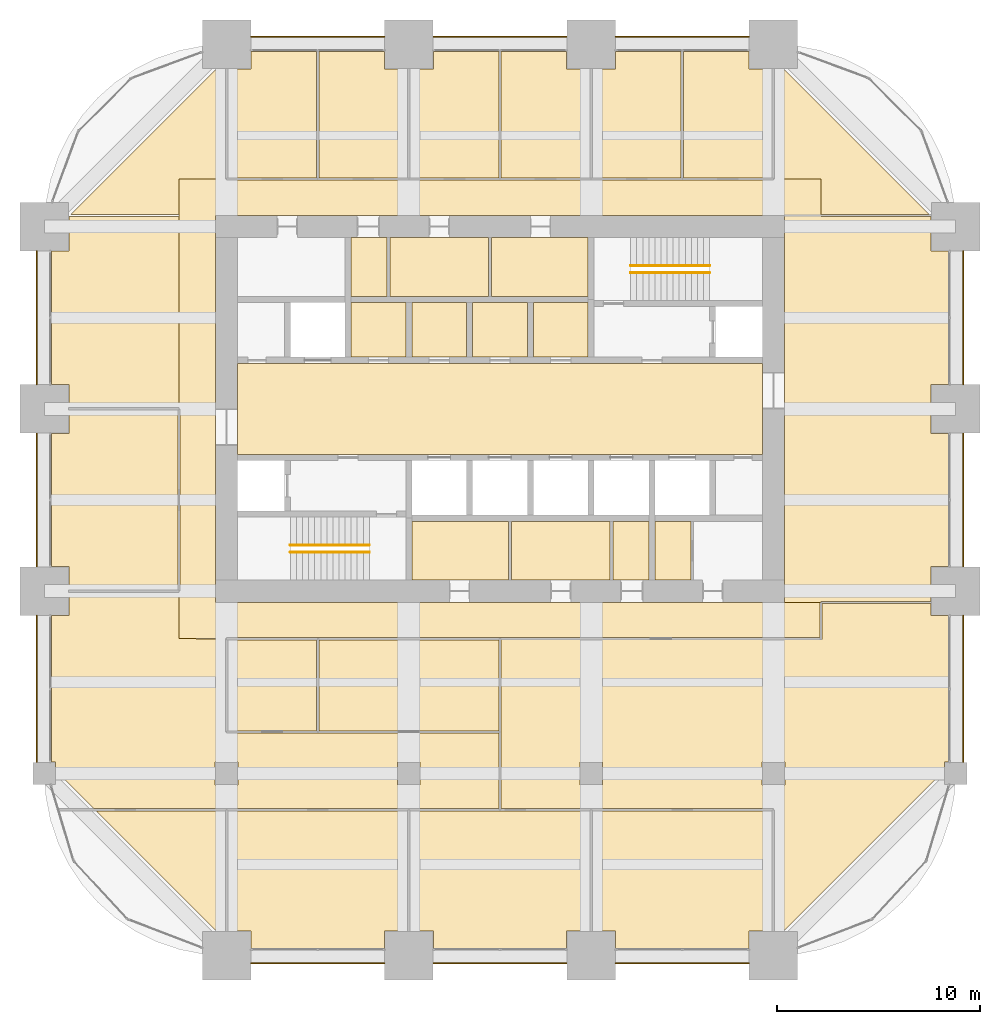
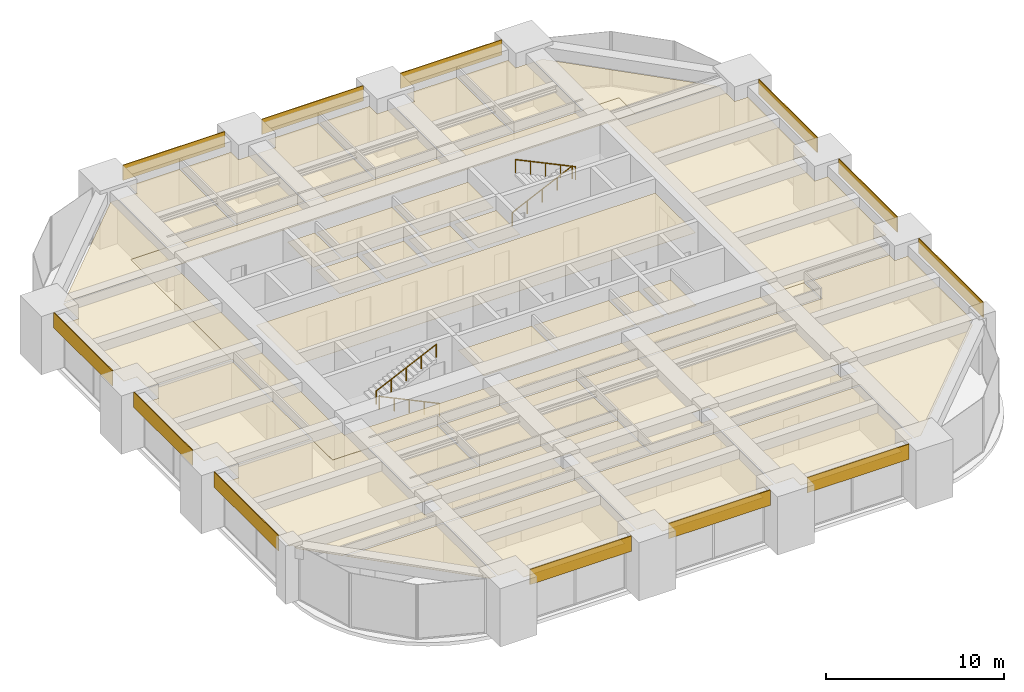
# One storey, part 45 of 45: 44 coverings, 4 railings.
"""IFC4 building model written with IfcOpenShell, lengths in metres."""

from ifc_helpers import new_model, si_unit, direction, frame, frame_2d, origin, origin_2d, place, context, subcontext, project, spatial, polyline, rectangle, circle, outline, extrude, material, layer, layer_set, type_object, element, save


model = new_model("IFC4")

# Units and contexts
model_context = context("Model", 3, precision=1e-05, world=origin(), true_north=direction((0.0, 1.0)))
body_context = subcontext(model_context, "Body", "Model", "MODEL_VIEW")
ifc_project = project(units=[si_unit("LENGTHUNIT", "METRE"), si_unit("AREAUNIT", "SQUARE_METRE"), si_unit("VOLUMEUNIT", "CUBIC_METRE"), si_unit("PLANEANGLEUNIT", "RADIAN"), si_unit("MASSUNIT", "GRAM", prefix="KILO")], contexts=[model_context])

# Site, building, storey
site_placement = place(None, origin())
site = spatial("IfcSite", under=ifc_project, at=site_placement, CompositionType="ELEMENT")
building_placement = place(site_placement, origin())
building = spatial("IfcBuilding", under=site, at=building_placement, Name="Zorevar Civic Tower", CompositionType="ELEMENT")
storey_placement = place(building_placement, frame((0.0, 0.0, 247.39990234375)))
storey = spatial("IfcBuildingStorey", under=building, at=storey_placement, Name="L60", CompositionType="ELEMENT", Elevation=247.39990234375)

# Railings
ifc_material_1 = material(Name="Black steel handrail", Category="steel")
railing_type = type_object("IfcRailingType", Name="Handrail HR1 900", PredefinedType="HANDRAIL", material=ifc_material_1)
railing_1_placement = place(storey_placement, frame((25.050048828125, 19.925048828125, 0.14306640625)))
element("IfcRailing", 1, at=railing_1_placement, inside=storey, type_object=railing_type, Name="Handrail HR1 ST1 L60", PredefinedType="HANDRAIL", context=body_context, shape_type="SweptSolid", body=[
    extrude(circle(Radius=0.02392578125, at=origin_2d()), frame((0.0, 0.0, 0.8759765625), z_axis=(-0.902885590262, 0.0, 0.429880926418), x_axis=(0.0, -1.0, 0.0)), (0.0, 0.0, 1.0), 4.319580078125),
    extrude(circle(Radius=0.02099609375, at=origin_2d()), origin(), (0.0, 0.0, 1.0), 0.851806640625),
    extrude(circle(Radius=0.02099609375, at=origin_2d()), frame((-0.97509765625, 0.0, 0.46435546875)), (0.0, 0.0, 1.0), 0.851806640625),
    extrude(circle(Radius=0.02099609375, at=origin_2d()), frame((-1.9501953125, 0.0, 0.928466796875)), (0.0, 0.0, 1.0), 0.851806640625),
    extrude(circle(Radius=0.02099609375, at=origin_2d()), frame((-2.925048828125, 0.0, 1.392578125)), (0.0, 0.0, 1.0), 0.851806640625),
    extrude(circle(Radius=0.02099609375, at=origin_2d()), frame((-3.900146484375, 0.0, 1.85693359375)), (0.0, 0.0, 1.0), 0.851806640625),
])
for number, where, name in (
    (2, (21.14990234375, 20.27490234375, 2.14306640625), "Handrail HR1 ST1 L60"),
    (3, (37.949951171875, 34.074951171875, 0.14306640625), "Handrail HR1 ST2 L60"),
):
    element("IfcRailing", number, at=place(storey_placement, frame(where)), inside=storey, type_object=railing_type, Name=name, PredefinedType="HANDRAIL", context=body_context, shape_type="SweptSolid", body=[
        extrude(circle(Radius=0.02392578125, at=origin_2d()), frame((0.0, 0.0, 0.8759765625), z_axis=(0.902885590262, 0.0, 0.429880926418), x_axis=(0.0, 1.0, 0.0)), (0.0, 0.0, 1.0), 4.319580078125),
        extrude(circle(Radius=0.02099609375, at=origin_2d()), origin(), (0.0, 0.0, 1.0), 0.851806640625),
        extrude(circle(Radius=0.02099609375, at=origin_2d()), frame((0.97509765625, 0.0, 0.46435546875)), (0.0, 0.0, 1.0), 0.851806640625),
        extrude(circle(Radius=0.02099609375, at=origin_2d()), frame((1.9501953125, 0.0, 0.928466796875)), (0.0, 0.0, 1.0), 0.851806640625),
        extrude(circle(Radius=0.02099609375, at=origin_2d()), frame((2.925048828125, 0.0, 1.392578125)), (0.0, 0.0, 1.0), 0.851806640625),
        extrude(circle(Radius=0.02099609375, at=origin_2d()), frame((3.900146484375, 0.0, 1.85693359375)), (0.0, 0.0, 1.0), 0.851806640625),
    ])
railing_2_placement = place(storey_placement, frame((41.85009765625, 33.72509765625, 2.14306640625)))
element("IfcRailing", 4, at=railing_2_placement, inside=storey, type_object=railing_type, Name="Handrail HR1 ST2 L60", PredefinedType="HANDRAIL", context=body_context, shape_type="SweptSolid", body=[
    extrude(circle(Radius=0.02392578125, at=origin_2d()), frame((0.0, 0.0, 0.8759765625), z_axis=(-0.902885590262, 0.0, 0.429880926418), x_axis=(0.0, -1.0, 0.0)), (0.0, 0.0, 1.0), 4.319580078125),
    extrude(circle(Radius=0.02099609375, at=origin_2d()), origin(), (0.0, 0.0, 1.0), 0.851806640625),
    extrude(circle(Radius=0.02099609375, at=origin_2d()), frame((-0.97509765625, 0.0, 0.46435546875)), (0.0, 0.0, 1.0), 0.851806640625),
    extrude(circle(Radius=0.02099609375, at=origin_2d()), frame((-1.9501953125, 0.0, 0.928466796875)), (0.0, 0.0, 1.0), 0.851806640625),
    extrude(circle(Radius=0.02099609375, at=origin_2d()), frame((-2.925048828125, 0.0, 1.392578125)), (0.0, 0.0, 1.0), 0.851806640625),
    extrude(circle(Radius=0.02099609375, at=origin_2d()), frame((-3.900146484375, 0.0, 1.85693359375)), (0.0, 0.0, 1.0), 0.851806640625),
])

# Coverings
ifc_material_2 = material(Name="Moisture-resistant gypsum board")
ifc_layer_1 = layer(ifc_material_2, 0.012451171875)
ifc_layer_set_1 = layer_set([ifc_layer_1], Name="Moisture-resistant ceiling SC3")
covering_type_1 = type_object("IfcCoveringType", Name="Moisture-resistant ceiling SC3", PredefinedType="CEILING", material=ifc_layer_set_1)
covering_1_placement = place(storey_placement, frame((0.0, 0.0, 3.0)))
element("IfcCovering", 5, at=covering_1_placement, inside=storey, type_object=covering_type_1, Name="Ceiling L60-05", PredefinedType="CEILING", context=body_context, shape_type="SweptSolid", body=[
    extrude(outline(polyline([(31.925048828125, 18.550048828125), (31.925048828125, 21.449951171875), (27.14990234375, 21.449951171875), (27.14990234375, 18.550048828125), (31.925048828125, 18.550048828125)])), origin(), (0.0, 0.0, 1.0), 0.0126953125),
])
covering_2_placement = place(storey_placement, frame((0.0, 0.0, 3.0)))
element("IfcCovering", 6, at=covering_2_placement, inside=storey, type_object=covering_type_1, Name="Ceiling L60-06", PredefinedType="CEILING", context=body_context, shape_type="SweptSolid", body=[
    extrude(outline(polyline([(36.925048828125, 18.550048828125), (36.925048828125, 21.449951171875), (32.074951171875, 21.449951171875), (32.074951171875, 18.550048828125), (36.925048828125, 18.550048828125)])), origin(), (0.0, 0.0, 1.0), 0.0126953125),
])
covering_3_placement = place(storey_placement, frame((0.0, 0.0, 3.0)))
element("IfcCovering", 7, at=covering_3_placement, inside=storey, type_object=covering_type_1, Name="Ceiling L60-07", PredefinedType="CEILING", context=body_context, shape_type="SweptSolid", body=[
    extrude(outline(polyline([(38.85009765625, 18.550048828125), (38.85009765625, 21.449951171875), (37.074951171875, 21.449951171875), (37.074951171875, 18.550048828125), (38.85009765625, 18.550048828125)])), origin(), (0.0, 0.0, 1.0), 0.0126953125),
])
covering_4_placement = place(storey_placement, frame((0.0, 0.0, 3.0)))
element("IfcCovering", 8, at=covering_4_placement, inside=storey, type_object=covering_type_1, Name="Ceiling L60-08", PredefinedType="CEILING", context=body_context, shape_type="SweptSolid", body=[
    extrude(outline(polyline([(35.85009765625, 32.550048828125), (35.85009765625, 35.449951171875), (31.074951171875, 35.449951171875), (31.074951171875, 32.550048828125), (35.85009765625, 32.550048828125)])), origin(), (0.0, 0.0, 1.0), 0.0126953125),
])
covering_5_placement = place(storey_placement, frame((0.0, 0.0, 3.0)))
element("IfcCovering", 9, at=covering_5_placement, inside=storey, type_object=covering_type_1, Name="Ceiling L60-09", PredefinedType="CEILING", context=body_context, shape_type="SweptSolid", body=[
    extrude(outline(polyline([(30.925048828125, 32.550048828125), (30.925048828125, 35.449951171875), (26.074951171875, 35.449951171875), (26.074951171875, 32.550048828125), (30.925048828125, 32.550048828125)])), origin(), (0.0, 0.0, 1.0), 0.0126953125),
])
covering_6_placement = place(storey_placement, frame((0.0, 0.0, 3.0)))
element("IfcCovering", 10, at=covering_6_placement, inside=storey, type_object=covering_type_1, Name="Ceiling L60-10", PredefinedType="CEILING", context=body_context, shape_type="SweptSolid", body=[
    extrude(outline(polyline([(25.925048828125, 32.550048828125), (25.925048828125, 35.449951171875), (24.14990234375, 35.449951171875), (24.14990234375, 32.550048828125), (25.925048828125, 32.550048828125)])), origin(), (0.0, 0.0, 1.0), 0.0126953125),
])
ifc_material_3 = material(Name="Black anodised aluminium spandrel panel", Category="aluminium")
ifc_layer_2 = layer(ifc_material_3, 0.050048828125)
ifc_layer_set_2 = layer_set([ifc_layer_2], Name="Spandrel cladding SP1")
covering_type_2 = type_object("IfcCoveringType", Name="Spandrel cladding SP1", PredefinedType="CLADDING", material=ifc_layer_set_2)
for number, where, z_axis, x_axis, name in (
    (11, (19.199951171875, -0.375, 2.9501953125), (0.0, 0.0, 1.0), (1.0, 0.0, 0.0), "Spandrel cladding L61"),
    (12, (28.199951171875, -0.375, 2.9501953125), (0.0, 0.0, 1.0), (1.0, 0.0, 0.0), "Spandrel cladding L61"),
    (13, (37.199951171875, -0.375, 2.9501953125), (0.0, 0.0, 1.0), (1.0, 0.0, 0.0), "Spandrel cladding L61"),
    (14, (19.199951171875, 45.375, 2.9501953125), (0.0, 0.0, 1.0), (1.0, 0.0, 0.0), "Spandrel cladding L61"),
    (15, (28.199951171875, 45.375, 2.9501953125), (0.0, 0.0, 1.0), (1.0, 0.0, 0.0), "Spandrel cladding L61"),
    (16, (37.199951171875, 45.375, 2.9501953125), (0.0, 0.0, 1.0), (1.0, 0.0, 0.0), "Spandrel cladding L61"),
):
    element("IfcCovering", number, at=place(storey_placement, frame(where, z_axis=z_axis, x_axis=x_axis)), inside=storey, type_object=covering_type_2, Name=name, PredefinedType="CLADDING", context=body_context, shape_type="SweptSolid", body=[
        extrude(rectangle(XDim=6.60009765625, YDim=0.050048828125, at=frame_2d((3.300048828125, 0.0))), origin(), (0.0, 0.0, 1.0), 1.0498046875),
    ])
covering_7_placement = place(storey_placement, frame((8.625, 9.550048828125, 2.9501953125), z_axis=(0.0, 0.0, 1.0), x_axis=(0.0, 1.0, 0.0)))
element("IfcCovering", 17, at=covering_7_placement, inside=storey, type_object=covering_type_2, Name="Spandrel cladding L61", PredefinedType="CLADDING", context=body_context, shape_type="SweptSolid", body=[
    extrude(rectangle(XDim=7.25, YDim=0.050048828125, at=frame_2d((3.625, 0.0))), origin(), (0.0, 0.0, 1.0), 1.0498046875),
])
for number, where, z_axis, x_axis, name in (
    (18, (8.625, 19.199951171875, 2.9501953125), (0.0, 0.0, 1.0), (0.0, 1.0, 0.0), "Spandrel cladding L61"),
    (19, (8.625, 28.199951171875, 2.9501953125), (0.0, 0.0, 1.0), (0.0, 1.0, 0.0), "Spandrel cladding L61"),
):
    element("IfcCovering", number, at=place(storey_placement, frame(where, z_axis=z_axis, x_axis=x_axis)), inside=storey, type_object=covering_type_2, Name=name, PredefinedType="CLADDING", context=body_context, shape_type="SweptSolid", body=[
        extrude(rectangle(XDim=6.60009765625, YDim=0.050048828125, at=frame_2d((3.300048828125, 0.0))), origin(), (0.0, 0.0, 1.0), 1.0498046875),
    ])
covering_8_placement = place(storey_placement, frame((54.375, 9.550048828125, 2.9501953125), z_axis=(0.0, 0.0, 1.0), x_axis=(0.0, 1.0, 0.0)))
element("IfcCovering", 20, at=covering_8_placement, inside=storey, type_object=covering_type_2, Name="Spandrel cladding L61", PredefinedType="CLADDING", context=body_context, shape_type="SweptSolid", body=[
    extrude(rectangle(XDim=7.25, YDim=0.050048828125, at=frame_2d((3.625, 0.0))), origin(), (0.0, 0.0, 1.0), 1.0498046875),
])
for number, where, z_axis, x_axis, name in (
    (21, (54.375, 19.199951171875, 2.9501953125), (0.0, 0.0, 1.0), (0.0, 1.0, 0.0), "Spandrel cladding L61"),
    (22, (54.375, 28.199951171875, 2.9501953125), (0.0, 0.0, 1.0), (0.0, 1.0, 0.0), "Spandrel cladding L61"),
):
    element("IfcCovering", number, at=place(storey_placement, frame(where, z_axis=z_axis, x_axis=x_axis)), inside=storey, type_object=covering_type_2, Name=name, PredefinedType="CLADDING", context=body_context, shape_type="SweptSolid", body=[
        extrude(rectangle(XDim=6.60009765625, YDim=0.050048828125, at=frame_2d((3.300048828125, 0.0))), origin(), (0.0, 0.0, 1.0), 1.0498046875),
    ])
ifc_material_4 = material(Name="Mineral fibre tiles on a concealed grid")
ifc_layer_3 = layer(ifc_material_4, 0.02001953125)
ifc_layer_set_3 = layer_set([ifc_layer_3], Name="Suspended ceiling SC1")
covering_type_3 = type_object("IfcCoveringType", Name="Suspended ceiling SC1", PredefinedType="CEILING", material=ifc_layer_set_3)
covering_9_placement = place(storey_placement, frame((0.0, 0.0, 3.0)))
element("IfcCovering", 23, at=covering_9_placement, inside=storey, type_object=covering_type_3, Name="Ceiling L60-11", PredefinedType="CEILING", context=body_context, shape_type="SweptSolid", body=[
    extrude(outline(polyline([(40.93994140625, 18.550048828125), (40.93994140625, 21.449951171875), (39.14990234375, 21.449951171875), (39.14990234375, 18.550048828125), (40.93994140625, 18.550048828125)])), origin(), (0.0, 0.0, 1.0), 0.02001953125),
])
covering_10_placement = place(storey_placement, frame((0.0, 0.0, 3.0)))
element("IfcCovering", 24, at=covering_10_placement, inside=storey, type_object=covering_type_3, Name="Ceiling L60-16", PredefinedType="CEILING", context=body_context, shape_type="SweptSolid", body=[
    extrude(outline(polyline([(44.449951171875, 24.75), (44.449951171875, 29.25), (18.550048828125, 29.25), (18.550048828125, 24.75), (44.449951171875, 24.75)])), origin(), (0.0, 0.0, 1.0), 0.02001953125),
])
covering_11_placement = place(storey_placement, frame((0.0, 0.0, 3.0)))
element("IfcCovering", 25, at=covering_11_placement, inside=storey, type_object=covering_type_3, Name="Ceiling L60-17", PredefinedType="CEILING", context=body_context, shape_type="SweptSolid", body=[
    extrude(outline(polyline([(35.85009765625, 29.550048828125), (35.85009765625, 32.25), (33.14990234375, 32.25), (33.14990234375, 29.550048828125), (35.85009765625, 29.550048828125)])), origin(), (0.0, 0.0, 1.0), 0.02001953125),
])
covering_12_placement = place(storey_placement, frame((0.0, 0.0, 3.0)))
element("IfcCovering", 26, at=covering_12_placement, inside=storey, type_object=covering_type_3, Name="Ceiling L60-18", PredefinedType="CEILING", context=body_context, shape_type="SweptSolid", body=[
    extrude(outline(polyline([(32.85009765625, 29.550048828125), (32.85009765625, 32.25), (30.14990234375, 32.25), (30.14990234375, 29.550048828125), (32.85009765625, 29.550048828125)])), origin(), (0.0, 0.0, 1.0), 0.02001953125),
])
covering_13_placement = place(storey_placement, frame((0.0, 0.0, 3.0)))
element("IfcCovering", 27, at=covering_13_placement, inside=storey, type_object=covering_type_3, Name="Ceiling L60-19", PredefinedType="CEILING", context=body_context, shape_type="SweptSolid", body=[
    extrude(outline(polyline([(29.85009765625, 29.550048828125), (29.85009765625, 32.25), (27.14990234375, 32.25), (27.14990234375, 29.550048828125), (29.85009765625, 29.550048828125)])), origin(), (0.0, 0.0, 1.0), 0.02001953125),
])
covering_14_placement = place(storey_placement, frame((0.0, 0.0, 3.0)))
element("IfcCovering", 28, at=covering_14_placement, inside=storey, type_object=covering_type_3, Name="Ceiling L60-20", PredefinedType="CEILING", context=body_context, shape_type="SweptSolid", body=[
    extrude(outline(polyline([(26.85009765625, 29.550048828125), (26.85009765625, 32.25), (24.14990234375, 32.25), (24.14990234375, 29.550048828125), (26.85009765625, 29.550048828125)])), origin(), (0.0, 0.0, 1.0), 0.02001953125),
])
covering_15_placement = place(storey_placement, frame((0.0, 0.0, 3.0)))
element("IfcCovering", 29, at=covering_15_placement, inside=storey, type_object=covering_type_3, Name="Ceiling L60-21", PredefinedType="CEILING", context=body_context, shape_type="SweptSolid", body=[
    extrude(outline(polyline([(19.2099609375, 0.35009765625), (19.2099609375, 1.2099609375), (18.06005859375, 1.2099609375), (18.06005859375, 7.139892578125), (26.93994140625, 7.139892578125), (26.93994140625, 1.2099609375), (25.7900390625, 1.2099609375), (25.7900390625, 0.35009765625), (19.2099609375, 0.35009765625)])), origin(), (0.0, 0.0, 1.0), 0.02001953125),
])
covering_16_placement = place(storey_placement, frame((0.0, 0.0, 3.0)))
element("IfcCovering", 30, at=covering_16_placement, inside=storey, type_object=covering_type_3, Name="Ceiling L60-22", PredefinedType="CEILING", context=body_context, shape_type="SweptSolid", body=[
    extrude(outline(polyline([(28.2099609375, 0.35009765625), (28.2099609375, 1.2099609375), (27.06005859375, 1.2099609375), (27.06005859375, 7.139892578125), (35.93994140625, 7.139892578125), (35.93994140625, 1.2099609375), (34.7900390625, 1.2099609375), (34.7900390625, 0.35009765625), (28.2099609375, 0.35009765625)])), origin(), (0.0, 0.0, 1.0), 0.02001953125),
])
covering_17_placement = place(storey_placement, frame((0.0, 0.0, 3.0)))
element("IfcCovering", 31, at=covering_17_placement, inside=storey, type_object=covering_type_3, Name="Ceiling L60-23", PredefinedType="CEILING", context=body_context, shape_type="SweptSolid", body=[
    extrude(outline(polyline([(37.2099609375, 0.35009765625), (37.2099609375, 1.2099609375), (36.06005859375, 1.2099609375), (36.06005859375, 7.139892578125), (44.93994140625, 7.139892578125), (44.93994140625, 1.2099609375), (43.7900390625, 1.2099609375), (43.7900390625, 0.35009765625), (37.2099609375, 0.35009765625)])), origin(), (0.0, 0.0, 1.0), 0.02001953125),
])
covering_18_placement = place(storey_placement, frame((0.0, 0.0, 3.0)))
element("IfcCovering", 32, at=covering_18_placement, inside=storey, type_object=covering_type_3, Name="Ceiling L60-24", PredefinedType="CEILING", context=body_context, shape_type="SweptSolid", body=[
    extrude(outline(polyline([(18.06005859375, 38.409912109375), (18.06005859375, 43.7900390625), (19.2099609375, 43.7900390625), (19.2099609375, 44.64990234375), (22.43994140625, 44.64990234375), (22.43994140625, 38.409912109375), (18.06005859375, 38.409912109375)])), origin(), (0.0, 0.0, 1.0), 0.02001953125),
])
covering_19_placement = place(storey_placement, frame((0.0, 0.0, 3.0)))
element("IfcCovering", 33, at=covering_19_placement, inside=storey, type_object=covering_type_3, Name="Ceiling L60-25", PredefinedType="CEILING", context=body_context, shape_type="SweptSolid", body=[
    extrude(outline(polyline([(22.56005859375, 38.409912109375), (22.56005859375, 44.64990234375), (25.7900390625, 44.64990234375), (25.7900390625, 43.7900390625), (26.93994140625, 43.7900390625), (26.93994140625, 38.409912109375), (22.56005859375, 38.409912109375)])), origin(), (0.0, 0.0, 1.0), 0.02001953125),
])
covering_20_placement = place(storey_placement, frame((0.0, 0.0, 3.0)))
element("IfcCovering", 34, at=covering_20_placement, inside=storey, type_object=covering_type_3, Name="Ceiling L60-26", PredefinedType="CEILING", context=body_context, shape_type="SweptSolid", body=[
    extrude(outline(polyline([(27.06005859375, 38.409912109375), (27.06005859375, 43.7900390625), (28.2099609375, 43.7900390625), (28.2099609375, 44.64990234375), (31.43994140625, 44.64990234375), (31.43994140625, 38.409912109375), (27.06005859375, 38.409912109375)])), origin(), (0.0, 0.0, 1.0), 0.02001953125),
])
covering_21_placement = place(storey_placement, frame((0.0, 0.0, 3.0)))
element("IfcCovering", 35, at=covering_21_placement, inside=storey, type_object=covering_type_3, Name="Ceiling L60-27", PredefinedType="CEILING", context=body_context, shape_type="SweptSolid", body=[
    extrude(outline(polyline([(31.56005859375, 38.409912109375), (31.56005859375, 44.64990234375), (34.7900390625, 44.64990234375), (34.7900390625, 43.7900390625), (35.93994140625, 43.7900390625), (35.93994140625, 38.409912109375), (31.56005859375, 38.409912109375)])), origin(), (0.0, 0.0, 1.0), 0.02001953125),
])
covering_22_placement = place(storey_placement, frame((0.0, 0.0, 3.0)))
element("IfcCovering", 36, at=covering_22_placement, inside=storey, type_object=covering_type_3, Name="Ceiling L60-28", PredefinedType="CEILING", context=body_context, shape_type="SweptSolid", body=[
    extrude(outline(polyline([(36.06005859375, 38.409912109375), (36.06005859375, 43.7900390625), (37.2099609375, 43.7900390625), (37.2099609375, 44.64990234375), (40.43994140625, 44.64990234375), (40.43994140625, 38.409912109375), (36.06005859375, 38.409912109375)])), origin(), (0.0, 0.0, 1.0), 0.02001953125),
])
covering_23_placement = place(storey_placement, frame((0.0, 0.0, 3.0)))
element("IfcCovering", 37, at=covering_23_placement, inside=storey, type_object=covering_type_3, Name="Ceiling L60-29", PredefinedType="CEILING", context=body_context, shape_type="SweptSolid", body=[
    extrude(outline(polyline([(40.56005859375, 38.409912109375), (40.56005859375, 44.64990234375), (43.7900390625, 44.64990234375), (43.7900390625, 43.7900390625), (44.93994140625, 43.7900390625), (44.93994140625, 38.409912109375), (40.56005859375, 38.409912109375)])), origin(), (0.0, 0.0, 1.0), 0.02001953125),
])
covering_24_placement = place(storey_placement, frame((0.0, 0.0, 3.0)))
element("IfcCovering", 38, at=covering_24_placement, inside=storey, type_object=covering_type_3, Name="Ceiling L60-30", PredefinedType="CEILING", context=body_context, shape_type="SweptSolid", body=[
    extrude(outline(polyline([(10.2099609375, 19.2099609375), (9.35009765625, 19.2099609375), (9.35009765625, 25.7900390625), (10.2099609375, 25.7900390625), (10.2099609375, 26.93994140625), (15.590087890625, 26.93994140625), (15.590087890625, 18.06005859375), (10.2099609375, 18.06005859375), (10.2099609375, 19.2099609375)])), origin(), (0.0, 0.0, 1.0), 0.02001953125),
])
covering_25_placement = place(storey_placement, frame((0.0, 0.0, 3.0)))
element("IfcCovering", 39, at=covering_25_placement, inside=storey, type_object=covering_type_3, Name="Ceiling L60-31", PredefinedType="CEILING", context=body_context, shape_type="SweptSolid", body=[
    extrude(outline(polyline([(18.06005859375, 15.590087890625), (22.43994140625, 15.590087890625), (22.43994140625, 11.10009765625), (18.06005859375, 11.10009765625), (18.06005859375, 15.590087890625)])), origin(), (0.0, 0.0, 1.0), 0.02001953125),
])
covering_26_placement = place(storey_placement, frame((0.0, 0.0, 3.0)))
element("IfcCovering", 40, at=covering_26_placement, inside=storey, type_object=covering_type_3, Name="Ceiling L60-32", PredefinedType="CEILING", context=body_context, shape_type="SweptSolid", body=[
    extrude(outline(polyline([(31.43994140625, 15.590087890625), (31.43994140625, 11.10009765625), (22.56005859375, 11.10009765625), (22.56005859375, 15.590087890625), (31.43994140625, 15.590087890625)])), origin(), (0.0, 0.0, 1.0), 0.02001953125),
])
covering_27_placement = place(storey_placement, frame((0.0, 0.0, 3.0)))
element("IfcCovering", 41, at=covering_27_placement, inside=storey, type_object=covering_type_3, Name="Ceiling L60-33", PredefinedType="CEILING", context=body_context, shape_type="SweptSolid", body=[
    extrude(outline(polyline([(17.93994140625, 7.139892578125), (17.93994140625, 1.2099609375), (17.4970703125, 1.2099609375), (11.567138671875, 7.139892578125), (17.93994140625, 7.139892578125)])), origin(), (0.0, 0.0, 1.0), 0.02001953125),
])
covering_28_placement = place(storey_placement, frame((0.0, 0.0, 3.0)))
element("IfcCovering", 42, at=covering_28_placement, inside=storey, type_object=covering_type_3, Name="Ceiling L60-34", PredefinedType="CEILING", context=body_context, shape_type="SweptSolid", body=[
    extrude(outline(polyline([(15.64990234375, 15.64990234375), (15.64990234375, 18.0), (15.7099609375, 18.0), (15.7099609375, 27.0), (15.64990234375, 27.0), (15.64990234375, 38.35009765625), (18.0, 38.35009765625), (18.0, 38.2900390625), (45.0, 38.2900390625), (45.0, 38.35009765625), (47.35009765625, 38.35009765625), (47.35009765625, 36.550048828125), (17.449951171875, 36.550048828125), (17.449951171875, 17.449951171875), (47.300048828125, 17.449951171875), (47.300048828125, 15.699951171875), (31.510009765625, 15.699951171875), (31.510009765625, 15.64990234375), (31.5, 15.64990234375), (31.5, 15.7099609375), (18.0, 15.7099609375), (18.0, 15.64990234375), (15.64990234375, 15.64990234375)])), origin(), (0.0, 0.0, 1.0), 0.02001953125),
])
covering_29_placement = place(storey_placement, frame((0.0, 0.0, 3.0)))
element("IfcCovering", 43, at=covering_29_placement, inside=storey, type_object=covering_type_3, Name="Ceiling L60-35", PredefinedType="CEILING", context=body_context, shape_type="SweptSolid", body=[
    extrude(outline(polyline([(52.7900390625, 19.2099609375), (52.7900390625, 17.5), (47.35009765625, 17.5), (47.35009765625, 17.449951171875), (45.550048828125, 17.449951171875), (45.550048828125, 36.550048828125), (47.35009765625, 36.550048828125), (47.35009765625, 36.5), (52.7900390625, 36.5), (52.7900390625, 34.7900390625), (53.64990234375, 34.7900390625), (53.64990234375, 28.2099609375), (52.7900390625, 28.2099609375), (52.7900390625, 25.7900390625), (53.64990234375, 25.7900390625), (53.64990234375, 19.2099609375), (52.7900390625, 19.2099609375)])), origin(), (0.0, 0.0, 1.0), 0.02001953125),
])
covering_30_placement = place(storey_placement, frame((0.0, 0.0, 3.0)))
element("IfcCovering", 44, at=covering_30_placement, inside=storey, type_object=covering_type_3, Name="Ceiling L60-36", PredefinedType="CEILING", context=body_context, shape_type="SweptSolid", body=[
    extrude(outline(polyline([(47.35009765625, 36.60009765625), (47.35009765625, 38.35009765625), (45.06005859375, 38.35009765625), (45.06005859375, 43.7900390625), (45.5029296875, 43.7900390625), (52.69287109375, 36.60009765625), (47.35009765625, 36.60009765625)])), origin(), (0.0, 0.0, 1.0), 0.02001953125),
])
covering_31_placement = place(storey_placement, frame((0.0, 0.0, 3.0)))
element("IfcCovering", 45, at=covering_31_placement, inside=storey, type_object=covering_type_3, Name="Ceiling L60-37", PredefinedType="CEILING", context=body_context, shape_type="SweptSolid", body=[
    extrude(outline(polyline([(17.93994140625, 43.7900390625), (17.93994140625, 38.35009765625), (15.64990234375, 38.35009765625), (15.64990234375, 36.60009765625), (10.30712890625, 36.60009765625), (17.4970703125, 43.7900390625), (17.93994140625, 43.7900390625)])), origin(), (0.0, 0.0, 1.0), 0.02001953125),
])
covering_32_placement = place(storey_placement, frame((0.0, 0.0, 3.0)))
element("IfcCovering", 46, at=covering_32_placement, inside=storey, type_object=covering_type_3, Name="Ceiling L60-38", PredefinedType="CEILING", context=body_context, shape_type="SweptSolid", body=[
    extrude(outline(polyline([(17.99951171875, 10.999267578125), (31.448974609375, 10.9990234375), (31.448974609375, 7.260986328125), (11.446044921875, 7.260986328125), (9.56005859375, 9.147216796875), (9.56005859375, 9.56005859375), (9.35107421875, 9.56005859375), (9.35107421875, 16.7900390625), (10.2099609375, 16.7900390625), (10.2099609375, 17.93994140625), (15.64990234375, 17.93994140625), (15.6494140625, 15.6494140625), (17.93896484375, 15.64892578125), (17.93896484375, 11.050048828125), (17.9990234375, 11.049072265625), (17.99951171875, 10.999267578125)]), holes=[polyline([(17.43994140625, 8.43994140625), (18.56005859375, 8.43994140625), (18.56005859375, 9.56005859375), (17.43994140625, 9.56005859375), (17.43994140625, 8.43994140625)]), polyline([(26.43994140625, 9.56005859375), (26.43994140625, 8.43994140625), (27.56005859375, 8.43994140625), (27.56005859375, 9.56005859375), (26.43994140625, 9.56005859375)])]), origin(), (0.0, 0.0, 1.0), 0.02001953125),
])
covering_33_placement = place(storey_placement, frame((0.0, 0.0, 3.0)))
element("IfcCovering", 47, at=covering_33_placement, inside=storey, type_object=covering_type_3, Name="Ceiling L60-39", PredefinedType="CEILING", context=body_context, shape_type="SweptSolid", body=[
    extrude(outline(polyline([(45.06005859375, 1.2099609375), (45.06005859375, 7.199951171875), (45.0, 7.199951171875), (45.0, 7.260009765625), (31.550048828125, 7.260009765625), (31.550048828125, 11.050048828125), (31.56005859375, 11.050048828125), (31.56005859375, 15.60009765625), (47.39990234375, 15.60009765625), (47.39990234375, 17.39990234375), (52.7900390625, 17.39990234375), (52.7900390625, 16.7900390625), (53.64990234375, 16.7900390625), (53.64990234375, 9.56005859375), (53.43994140625, 9.56005859375), (53.43994140625, 9.147216796875), (45.5029296875, 1.2099609375), (45.06005859375, 1.2099609375)]), holes=[polyline([(35.43994140625, 9.56005859375), (35.43994140625, 8.43994140625), (36.56005859375, 8.43994140625), (36.56005859375, 9.56005859375), (35.43994140625, 9.56005859375)]), polyline([(45.56005859375, 8.43994140625), (45.56005859375, 9.56005859375), (44.43994140625, 9.56005859375), (44.43994140625, 8.43994140625), (45.56005859375, 8.43994140625)])]), origin(), (0.0, 0.0, 1.0), 0.02001953125),
])
covering_34_placement = place(storey_placement, frame((0.0, 0.0, 3.0)))
element("IfcCovering", 48, at=covering_34_placement, inside=storey, type_object=covering_type_3, Name="Ceiling L60-40", PredefinedType="CEILING", context=body_context, shape_type="SweptSolid", body=[
    extrude(outline(polyline([(10.2099609375, 27.06005859375), (10.2099609375, 28.2099609375), (9.35009765625, 28.2099609375), (9.35009765625, 34.7900390625), (10.2099609375, 34.7900390625), (10.2099609375, 36.5), (15.64990234375, 36.5), (15.64990234375, 27.06005859375), (10.2099609375, 27.06005859375)])), origin(), (0.0, 0.0, 1.0), 0.02001953125),
])

save(model, "model.ifc")
